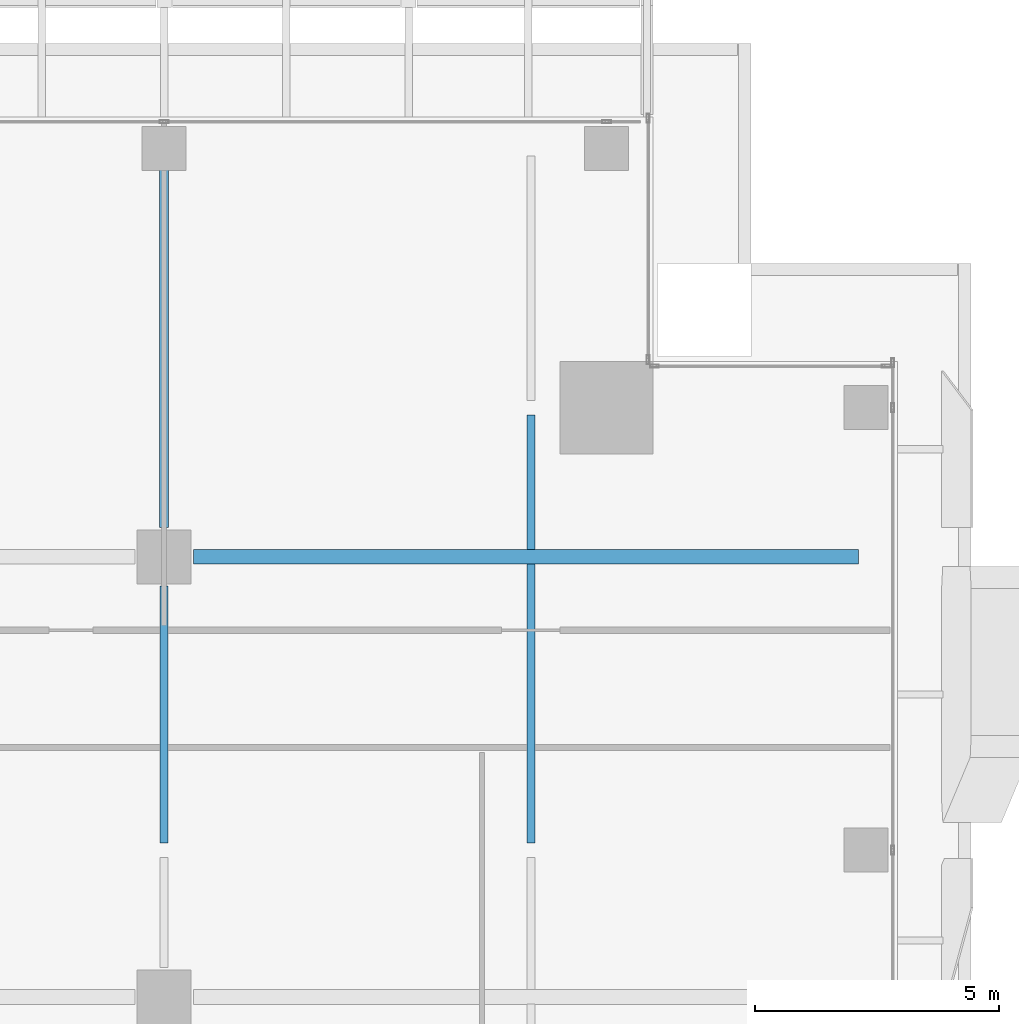
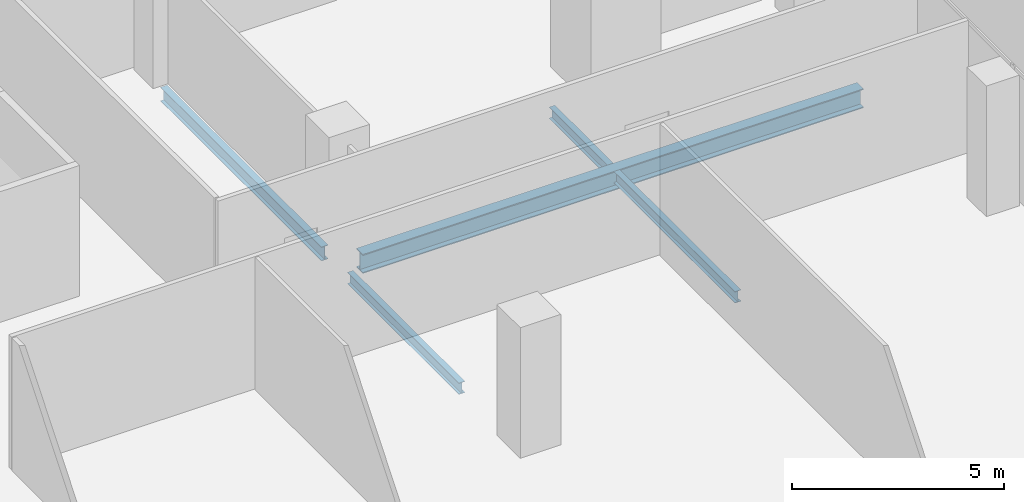
# One storey, part 17 of 33: 5 beams.
"""IFC4 building model written with IfcOpenShell, lengths in metres."""

from ifc_helpers import new_model, si_unit, direction, frame, origin, origin_2d, place, context, subcontext, project, spatial, i_section, extrude, source, transform, mapped, material, material_profile, profile_set, type_object, element, save


model = new_model("IFC4")

# Units and contexts
model_context = context("Model", 3, precision=1e-05, world=origin(), true_north=direction((0.0, 1.0)))
body_context = subcontext(model_context, "Body", "Model", "MODEL_VIEW")
ifc_project = project(units=[si_unit("LENGTHUNIT", "METRE"), si_unit("AREAUNIT", "SQUARE_METRE"), si_unit("VOLUMEUNIT", "CUBIC_METRE"), si_unit("PLANEANGLEUNIT", "RADIAN"), si_unit("MASSUNIT", "GRAM", prefix="KILO")], contexts=[model_context])

# Site, building, storey
site_placement = place(None, origin())
site = spatial("IfcSite", under=ifc_project, at=site_placement, CompositionType="ELEMENT")
building_placement = place(site_placement, origin())
building = spatial("IfcBuilding", under=site, at=building_placement, Name="Khomas Fold Tower", CompositionType="ELEMENT")
storey_placement = place(building_placement, frame((0.0, 0.0, 222.199951171875)))
storey = spatial("IfcBuildingStorey", under=building, at=storey_placement, Name="L49", CompositionType="ELEMENT", Elevation=222.199951171875)

# Beams
ifc_material_1 = material(Name="Steel S355", Category="steel")
ifc_material_profile_1 = material_profile(ifc_material_1, i_section(OverallWidth=0.300048828125, OverallDepth=0.550048828125, WebThickness=0.014892578125, FlangeThickness=0.029052734375, at=origin_2d()), Name="HE 550 B")
ifc_profile_set_1 = profile_set([ifc_material_profile_1], Name="Steel S355")
beam_type_1 = type_object("IfcBeamType", Name="HE 550 B beam GB4", PredefinedType="BEAM", material=ifc_profile_set_1)
shared_shape_1 = source(origin(), body_context, "Body", "SweptSolid", [
    extrude(i_section(OverallWidth=0.300048828125, OverallDepth=0.550048828125, WebThickness=0.014892578125, FlangeThickness=0.029052734375, at=origin_2d()), origin(), (0.0, 0.0, 1.0), 13.599853515625),
])
beam_1_placement = place(storey_placement, frame((35.10009765625, 40.5, -0.52490234375), z_axis=(1.0, 0.0, 0.0), x_axis=(0.0, 1.0, 0.0)))
element("IfcBeam", 1, at=beam_1_placement, inside=storey, type_object=beam_type_1, Name="GB4", PredefinedType="BEAM", context=body_context, shape_type="MappedRepresentation", body=[
    mapped(shared_shape_1, transform((0.0, 0.0, 0.0))),
])
ifc_material_2 = material(Name="Steel S355", Category="steel")
ifc_material_profile_2 = material_profile(ifc_material_2, i_section(OverallWidth=0.159912109375, OverallDepth=0.330078125, WebThickness=0.007568359375, FlangeThickness=0.011474609375, at=origin_2d()), Name="IPE 330")
ifc_profile_set_2 = profile_set([ifc_material_profile_2], Name="Steel S355")
beam_type_2 = type_object("IfcBeamType", Name="IPE 330 beam JB1", PredefinedType="BEAM", material=ifc_profile_set_2)
shared_shape_2 = source(origin(), body_context, "Body", "SweptSolid", [
    extrude(i_section(OverallWidth=0.159912109375, OverallDepth=0.330078125, WebThickness=0.007568359375, FlangeThickness=0.011474609375, at=origin_2d()), origin(), (0.0, 0.0, 1.0), 2.75),
])
beam_2_placement = place(storey_placement, frame((42.0, 40.64990234375, -0.4150390625), z_axis=(0.0, 1.0, 0.0), x_axis=(-1.0, 0.0, 0.0)))
element("IfcBeam", 2, at=beam_2_placement, inside=storey, type_object=beam_type_2, Name="JB1", PredefinedType="BEAM", context=body_context, shape_type="MappedRepresentation", body=[
    mapped(shared_shape_2, transform((0.0, 0.0, 0.0))),
])
shared_shape_3 = source(origin(), body_context, "Body", "SweptSolid", [
    extrude(i_section(OverallWidth=0.159912109375, OverallDepth=0.330078125, WebThickness=0.007568359375, FlangeThickness=0.011474609375, at=origin_2d()), origin(), (0.0, 0.0, 1.0), 5.69921875),
])
beam_3_placement = place(storey_placement, frame((42.0, 34.65087890625, -0.4150390625), z_axis=(0.0, 1.0, 0.0), x_axis=(-1.0, 0.0, 0.0)))
element("IfcBeam", 3, at=beam_3_placement, inside=storey, type_object=beam_type_2, Name="JB1", PredefinedType="BEAM", context=body_context, shape_type="MappedRepresentation", body=[
    mapped(shared_shape_3, transform((0.0, 0.0, 0.0))),
])
ifc_material_3 = material(Name="Steel S355", Category="steel")
ifc_material_profile_3 = material_profile(ifc_material_3, i_section(OverallWidth=0.179931640625, OverallDepth=0.39990234375, WebThickness=0.008544921875, FlangeThickness=0.013427734375, at=origin_2d()), Name="IPE 400")
ifc_profile_set_3 = profile_set([ifc_material_profile_3], Name="Steel S355")
beam_type_3 = type_object("IfcBeamType", Name="IPE 400 beam JB3", PredefinedType="BEAM", material=ifc_profile_set_3)
shared_shape_4 = source(origin(), body_context, "Body", "SweptSolid", [
    extrude(i_section(OverallWidth=0.179931640625, OverallDepth=0.39990234375, WebThickness=0.008544921875, FlangeThickness=0.013427734375, at=origin_2d()), origin(), (0.0, 0.0, 1.0), 7.574951171875),
])
beam_4_placement = place(storey_placement, frame((34.5, 41.10009765625, -0.449951171875), z_axis=(0.0, 1.0, 0.0), x_axis=(-1.0, 0.0, 0.0)))
element("IfcBeam", 4, at=beam_4_placement, inside=storey, type_object=beam_type_3, Name="JB3", PredefinedType="BEAM", context=body_context, shape_type="MappedRepresentation", body=[
    mapped(shared_shape_4, transform((0.0, 0.0, 0.0))),
])
shared_shape_5 = source(origin(), body_context, "Body", "SweptSolid", [
    extrude(i_section(OverallWidth=0.159912109375, OverallDepth=0.330078125, WebThickness=0.007568359375, FlangeThickness=0.011474609375, at=origin_2d()), origin(), (0.0, 0.0, 1.0), 5.2490234375),
])
beam_5_placement = place(storey_placement, frame((34.5, 34.65087890625, -0.4150390625), z_axis=(0.0, 1.0, 0.0), x_axis=(-1.0, 0.0, 0.0)))
element("IfcBeam", 5, at=beam_5_placement, inside=storey, type_object=beam_type_2, Name="JB1", PredefinedType="BEAM", context=body_context, shape_type="MappedRepresentation", body=[
    mapped(shared_shape_5, transform((0.0, 0.0, 0.0))),
])

save(model, "model.ifc")
